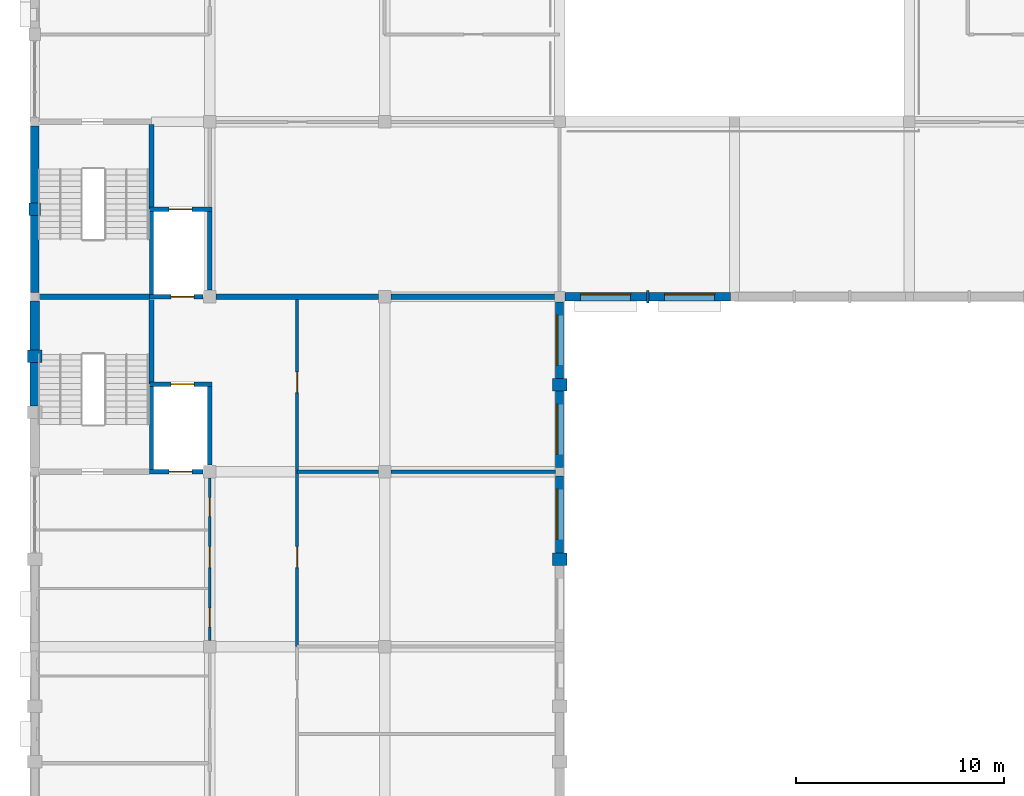
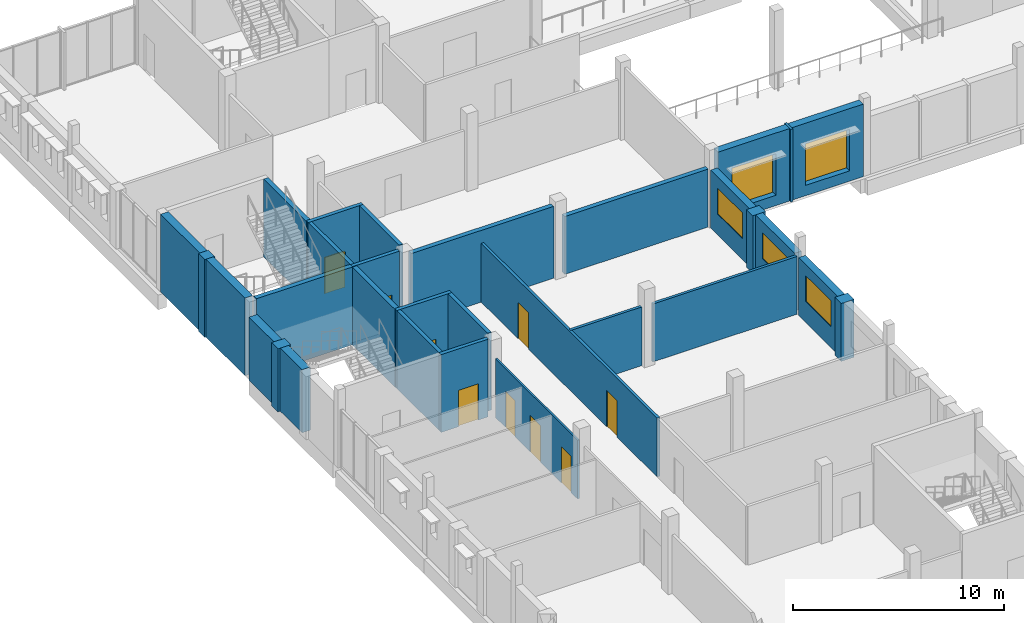
# One storey, part 96 of 116: 31 walls, 9 doors, 5 windows, 14 openings.
"""IFC4 building model written with IfcOpenShell, lengths in metres."""

import ifcopenshell
import ifcopenshell.guid

model = None  # the IFC model being written
_history = None  # IfcOwnerHistory: only IFC2X3 demands one
_inside = {}  # id of a spatial element -> (the spatial element, [elements in it])
_under = {}  # id of a project, library or spatial element -> (it, [spatial elements below it])
_declared = {}  # id of a project -> (the project, [libraries it declares])
_typed = {}  # id of a type object -> (the type object, [elements of that type])
_made_of = {}  # id of a material, layer set ... -> (it, [elements and type objects made of it])


def new_model(schema):
    """Start an empty IFC model of exactly this schema.

    Asked for "IFC4X3", IfcOpenShell would pick the latest addendum, in which some entities
    have other attributes; the version numbers below select the first issue.
    IFC2X3 requires an IfcOwnerHistory on every rooted entity: one is made here for all.
    """
    global model, _history
    if schema == "IFC4X3":
        model = ifcopenshell.file(schema_version=(4, 3, 0, 0))
    else:
        model = ifcopenshell.file(schema=schema)
    _inside.clear()
    _under.clear()
    _declared.clear()
    _typed.clear()
    _made_of.clear()
    _history = None
    if model.schema == "IFC2X3":
        org = make("IfcOrganization", Name="unknown")
        user = make(
            "IfcPersonAndOrganization",
            ThePerson=make("IfcPerson", FamilyName="unknown"),
            TheOrganization=org,
        )
        app = make(
            "IfcApplication",
            ApplicationDeveloper=org,
            Version="unknown",
            ApplicationFullName="unknown",
            ApplicationIdentifier="unknown",
        )
        _history = make(
            "IfcOwnerHistory",
            OwningUser=user,
            OwningApplication=app,
            ChangeAction="ADDED",
            CreationDate=0,
        )
    return model


def make(cls, **values):
    """One entity of the class cls with the attributes given. An attribute that is None is left unset."""
    return model.create_entity(
        cls, **{name: value for name, value in values.items() if value is not None}
    )


def rooted(cls, **values):
    """An entity with a GlobalId (a new one), such as an element, a storey or a relation."""
    return make(cls, GlobalId=ifcopenshell.guid.new(), OwnerHistory=_history, **values)


def si_unit(unit_type, name, prefix=None):
    """IfcSIUnit, for example si_unit("LENGTHUNIT", "METRE", prefix="MILLI")."""
    return make("IfcSIUnit", UnitType=unit_type, Prefix=prefix, Name=name)


def assignment(units):
    """IfcUnitAssignment: the units of a project."""
    return None if units is None else make("IfcUnitAssignment", Units=units)


def point(xyz):
    """IfcCartesianPoint."""
    return None if xyz is None else make("IfcCartesianPoint", Coordinates=xyz)


def direction(xyz):
    """IfcDirection."""
    return None if xyz is None else make("IfcDirection", DirectionRatios=xyz)


def frame(location, z_axis=None, x_axis=None):
    """IfcAxis2Placement3D, a coordinate frame: its origin and axes. An axis left out is left unset."""
    return make(
        "IfcAxis2Placement3D",
        Location=point(location),
        Axis=direction(z_axis),
        RefDirection=direction(x_axis),
    )


def frame_2d(location, x_axis=None):
    """IfcAxis2Placement2D, a coordinate frame in the plane: its origin and x axis."""
    return make(
        "IfcAxis2Placement2D", Location=point(location), RefDirection=direction(x_axis)
    )


def origin():
    """The frame at (0, 0, 0) with its axes left unset."""
    return frame((0.0, 0.0, 0.0))


def place(relative_to, where):
    """IfcLocalPlacement: puts the frame where relative to a parent placement (None: the world)."""
    return make(
        "IfcLocalPlacement", PlacementRelTo=relative_to, RelativePlacement=where
    )


def context(
    kind, dimensions, precision=None, world=None, true_north=None, identifier=None
):
    """IfcGeometricRepresentationContext, for example the 3D "Model" context."""
    return make(
        "IfcGeometricRepresentationContext",
        ContextIdentifier=identifier,
        ContextType=kind,
        CoordinateSpaceDimension=dimensions,
        Precision=precision,
        WorldCoordinateSystem=world,
        TrueNorth=true_north,
    )


def subcontext(parent, identifier, kind, view, scale=None):
    """IfcGeometricRepresentationSubContext, for example "Body" below "Model"."""
    return make(
        "IfcGeometricRepresentationSubContext",
        ContextIdentifier=identifier,
        ContextType=kind,
        ParentContext=parent,
        TargetScale=scale,
        TargetView=view,
    )


def project(units=None, contexts=None):
    """IfcProject with its units and contexts."""
    return rooted(
        "IfcProject",
        Name="project",
        RepresentationContexts=contexts,
        UnitsInContext=assignment(units),
    )


def spatial(cls, under=None, at=None, **own):
    """A site, building, storey or space (cls), placed at a placement, below another one or the project."""
    s = rooted(cls, ObjectPlacement=at, **own)
    if under is not None:
        _under.setdefault(under.id(), (under, []))[1].append(s)
    return s


def profile(cls, at=None, kind="AREA", **sizes):
    """A parametric profile (cls). Its sizes go by their IFC names, for example OverallWidth=200.0."""
    return make(cls, ProfileType=kind, Position=at, **sizes)


def rectangle(**sizes):
    """IfcRectangleProfileDef."""
    return profile("IfcRectangleProfileDef", **sizes)


def extrude(swept, where, along, depth):
    """IfcExtrudedAreaSolid: the profile swept, set in the frame where, extruded along a direction by depth."""
    return make(
        "IfcExtrudedAreaSolid",
        SweptArea=swept,
        Position=where,
        ExtrudedDirection=direction(along),
        Depth=depth,
    )


def shape(context_of_items, identifier, shape_type, items):
    """IfcShapeRepresentation: the items that make up one representation, for example the "Body"."""
    return make(
        "IfcShapeRepresentation",
        ContextOfItems=context_of_items,
        RepresentationIdentifier=identifier,
        RepresentationType=shape_type,
        Items=items,
    )


def material(Name=None, Category=None):
    """IfcMaterial."""
    return make("IfcMaterial", Name=Name, Category=Category)


def layer(
    of_material, thickness, ventilated=None, Name=None, Category=None, Priority=None
):
    """IfcMaterialLayer: one layer of a wall or slab, of a material (None: an air gap)."""
    return make(
        "IfcMaterialLayer",
        Material=of_material,
        LayerThickness=thickness,
        IsVentilated=ventilated,
        Name=Name,
        Category=Category,
        Priority=Priority,
    )


def layer_set(layers, Name=None):
    """IfcMaterialLayerSet."""
    return make("IfcMaterialLayerSet", MaterialLayers=layers, LayerSetName=Name)


def made_of(thing, what):
    """Note that an element or type object is made of a material, layer set ...; save() writes the relation."""
    if what is not None:
        _made_of.setdefault(what.id(), (what, []))[1].append(thing)
    return thing


def type_object(cls, material=None, **own):
    """A type object (cls), such as IfcWallType, which elements share."""
    return made_of(rooted(cls, **own), material)


def element(
    cls,
    number,
    at=None,
    inside=None,
    cuts=None,
    type_object=None,
    material=None,
    context=None,
    identifier="Body",
    shape_type=None,
    held_by="IfcProductDefinitionShape",
    body=None,
    shapes=None,
    **own,
):
    """One element of the class cls, such as IfcWall. Its Tag is "e" and its number.

    at: its placement. inside: the storey or other place that contains it. cuts: it is an
    opening in that element (IfcRelVoidsElement). A single representation is given by context,
    identifier, shape_type and body (its items); several are given by shapes. held_by: the class
    of the entity that holds the representations. save() writes the other relations.
    """
    e = rooted(cls, Tag="e%d" % number, ObjectPlacement=at, **own)
    if body is not None:
        shapes = [shape(context, identifier, shape_type, body)]
    if shapes is not None:
        e.Representation = make(held_by, Representations=shapes)
    if inside is not None:
        _inside.setdefault(inside.id(), (inside, []))[1].append(e)
    if cuts is not None:
        rooted(
            "IfcRelVoidsElement", RelatingBuildingElement=cuts, RelatedOpeningElement=e
        )
    if type_object is not None:
        _typed.setdefault(type_object.id(), (type_object, []))[1].append(e)
    return made_of(e, material)


def fill(opening, filler):
    """IfcRelFillsElement: the door or window that sits in an opening."""
    return rooted(
        "IfcRelFillsElement",
        RelatingOpeningElement=opening,
        RelatedBuildingElement=filler,
    )


def aggregate(whole, parts):
    """IfcRelAggregates: a whole, such as a stair, and the parts it consists of."""
    return rooted("IfcRelAggregates", RelatingObject=whole, RelatedObjects=parts)


def save(model, path):
    """Write the relations noted so far, then the file.

    IfcRelAggregates (storeys below a building ...), IfcRelContainedInSpatialStructure (elements
    in a storey), IfcRelDefinesByType, IfcRelAssociatesMaterial and IfcRelDeclares: one each for
    every whole, place, type object, material and project.
    """
    for whole, parts in _under.values():
        aggregate(whole, parts)
    for where, things in _inside.values():
        rooted(
            "IfcRelContainedInSpatialStructure",
            RelatedElements=things,
            RelatingStructure=where,
        )
    for kind, things in _typed.values():
        rooted("IfcRelDefinesByType", RelatedObjects=things, RelatingType=kind)
    for what, things in _made_of.values():
        rooted("IfcRelAssociatesMaterial", RelatedObjects=things, RelatingMaterial=what)
    for by, libraries in _declared.values():
        rooted("IfcRelDeclares", RelatingContext=by, RelatedDefinitions=libraries)
    model.write(path)


model = new_model("IFC4")

# Units and contexts
model_context = context("Model", 3, precision=1e-05, world=origin(), true_north=direction((0.0, 1.0)))
body_context = subcontext(model_context, "Body", "Model", "MODEL_VIEW")
ifc_project = project(units=[si_unit("LENGTHUNIT", "METRE"), si_unit("AREAUNIT", "SQUARE_METRE"), si_unit("VOLUMEUNIT", "CUBIC_METRE"), si_unit("PLANEANGLEUNIT", "RADIAN"), si_unit("MASSUNIT", "GRAM", prefix="KILO")], contexts=[model_context])

# Site, building, storey
site_placement = place(None, origin())
site = spatial("IfcSite", under=ifc_project, at=site_placement, CompositionType="ELEMENT")
building_placement = place(site_placement, origin())
building = spatial("IfcBuilding", under=site, at=building_placement, Name="Fescue Hill Polytechnic", CompositionType="ELEMENT")
storey_placement = place(building_placement, frame((0.0, 0.0, 13.5)))
storey = spatial("IfcBuildingStorey", under=building, at=storey_placement, Name="L03", CompositionType="ELEMENT", Elevation=13.5)

# Walls
ifc_material_1 = material(Name="Clay brick masonry", Category="masonry")
ifc_layer_1 = layer(ifc_material_1, 0.550048828125)
ifc_layer_set_1 = layer_set([ifc_layer_1], Name="Clay brick masonry")
wall_type_1 = type_object("IfcWallType", Name="Brick pier 600x550", PredefinedType="SOLIDWALL", material=ifc_layer_set_1)
wall_1_placement = place(storey_placement, frame((0.0, 113.699951171875, 0.0), z_axis=(0.0, 0.0, 1.0), x_axis=(0.0, -1.0, 0.0)))
element("IfcWall", 1, at=wall_1_placement, inside=storey, type_object=wall_type_1, Name="PR-L03-V5-20", PredefinedType="SOLIDWALL", context=body_context, shape_type="SweptSolid", body=[
    extrude(rectangle(XDim=0.599853515625, YDim=0.550048828125, at=frame_2d((0.2998046875, 0.0))), origin(), (0.0, 0.0, 1.0), 4.5),
])
ifc_material_2 = material(Name="Concrete 40 MPa", Category="concrete")
ifc_layer_2 = layer(ifc_material_2, 0.25)
ifc_layer_set_2 = layer_set([ifc_layer_2], Name="Concrete 40 MPa")
wall_type_2 = type_object("IfcWallType", Name="Core wall 250", PredefinedType="SHEAR", material=ifc_layer_set_2)
wall_2_placement = place(storey_placement, frame((0.22509765625, 109.199951171875, 0.0), z_axis=(0.0, 0.0, 1.0), x_axis=(1.0, 0.0, 0.0)))
element("IfcWall", 2, at=wall_2_placement, inside=storey, type_object=wall_type_2, Name="CW-L03-ST-V4-2-21", PredefinedType="SHEAR", context=body_context, shape_type="SweptSolid", body=[
    extrude(rectangle(XDim=5.27490234375, YDim=0.25, at=frame_2d((2.637451171875, 0.0))), origin(), (0.0, 0.0, 1.0), 4.5),
])
wall_3_placement = place(storey_placement, frame((5.60009765625, 105.010009765625, 0.0), z_axis=(0.0, 0.0, 1.0), x_axis=(0.0, 1.0, 0.0)))
element("IfcWall", 3, at=wall_3_placement, inside=storey, type_object=wall_type_2, Name="CW-L03-ST-V4-2-41", PredefinedType="SHEAR", context=body_context, shape_type="SweptSolid", body=[
    extrude(rectangle(XDim=4.06494140625, YDim=0.25, at=frame_2d((2.032470703125, 0.0))), origin(), (0.0, 0.0, 1.0), 4.5),
])
wall_4_placement = place(storey_placement, frame((5.60009765625, 113.409912109375, 0.0), z_axis=(0.0, 0.0, 1.0), x_axis=(0.0, 1.0, 0.0)))
element("IfcWall", 4, at=wall_4_placement, inside=storey, type_object=wall_type_2, Name="CW-L03-ST-V5-1-41", PredefinedType="SHEAR", context=body_context, shape_type="SweptSolid", body=[
    extrude(rectangle(XDim=4.065185546875, YDim=0.25, at=frame_2d((2.03271484375, 0.0))), origin(), (0.0, 0.0, 1.0), 4.5),
])
ifc_layer_3 = layer(ifc_material_2, 0.449951171875)
ifc_layer_set_3 = layer_set([ifc_layer_3], Name="Concrete 40 MPa")
wall_type_3 = type_object("IfcWallType", Name="Exterior wall board-marked concrete 450 load-bearing", PredefinedType="SOLIDWALL", material=ifc_layer_set_3)
wall_5_placement = place(storey_placement, frame((0.0, 109.0, 0.0), z_axis=(0.0, 0.0, 1.0), x_axis=(0.0, -1.0, 0.0)))
element("IfcWall", 5, at=wall_5_placement, inside=storey, type_object=wall_type_3, Name="EW-L03-V4-18", PredefinedType="SOLIDWALL", context=body_context, shape_type="SweptSolid", body=[
    extrude(rectangle(XDim=2.36669921875, YDim=0.449951171875, at=frame_2d((1.183349609375, 0.0))), origin(), (0.0, 0.0, 1.0), 3.64990234375),
])
wall_6_placement = place(storey_placement, frame((0.0, 106.033203125, 0.0), z_axis=(0.0, 0.0, 1.0), x_axis=(0.0, -1.0, 0.0)))
element("IfcWall", 6, at=wall_6_placement, inside=storey, type_object=wall_type_3, Name="EW-L03-V4-19", PredefinedType="SOLIDWALL", context=body_context, shape_type="SweptSolid", body=[
    extrude(rectangle(XDim=2.06640625, YDim=0.449951171875, at=frame_2d((1.033203125, 0.0))), origin(), (0.0, 0.0, 1.0), 3.64990234375),
])
ifc_layer_4 = layer(ifc_material_1, 0.419921875)
ifc_layer_set_4 = layer_set([ifc_layer_4], Name="Clay brick masonry")
wall_type_4 = type_object("IfcWallType", Name="Exterior wall buff-red brick cavity 420 load-bearing", PredefinedType="SOLIDWALL", material=ifc_layer_set_4)
wall_7_placement = place(storey_placement, frame((0.0, 117.39990234375, 0.0), z_axis=(0.0, 0.0, 1.0), x_axis=(0.0, -1.0, 0.0)))
element("IfcWall", 7, at=wall_7_placement, inside=storey, type_object=wall_type_4, Name="EW-L03-V5-23", PredefinedType="SOLIDWALL", context=body_context, shape_type="SweptSolid", body=[
    extrude(rectangle(XDim=3.699951171875, YDim=0.419921875, at=frame_2d((1.85009765625, 0.0))), origin(), (0.0, 0.0, 1.0), 4.5),
])
wall_8_placement = place(storey_placement, frame((0.0, 113.10009765625, 0.0), z_axis=(0.0, 0.0, 1.0), x_axis=(0.0, -1.0, 0.0)))
element("IfcWall", 8, at=wall_8_placement, inside=storey, type_object=wall_type_4, Name="EW-L03-V5-24", PredefinedType="SOLIDWALL", context=body_context, shape_type="SweptSolid", body=[
    extrude(rectangle(XDim=3.7001953125, YDim=0.419921875, at=frame_2d((1.85009765625, 0.0))), origin(), (0.0, 0.0, 1.0), 4.5),
])

# Wall, opening, window
ifc_layer_5 = layer(ifc_material_1, 0.39990234375)
ifc_layer_set_5 = layer_set([ifc_layer_5], Name="Clay brick masonry")
wall_type_5 = type_object("IfcWallType", Name="Exterior wall clinker brick cavity 400", PredefinedType="SOLIDWALL", material=ifc_layer_set_5)
wall_9_placement = place(storey_placement, frame((25.449951171875, 109.199951171875, 0.0), z_axis=(0.0, 0.0, 1.0), x_axis=(1.0, 0.0, 0.0)))
wall_9 = element("IfcWall", 9, at=wall_9_placement, inside=storey, type_object=wall_type_5, Name="EW-L03-V5-1", PredefinedType="SOLIDWALL", context=body_context, shape_type="SweptSolid", body=[
    extrude(rectangle(XDim=3.9150390625, YDim=0.39990234375, at=frame_2d((1.95751953125, 0.0))), origin(), (0.0, 0.0, 1.0), 4.199951171875),
])
opening_1_placement = place(wall_9_placement, frame((0.757568359375, 0.0, 0.60009765625)))
opening_1 = element("IfcOpeningElement", 10, at=opening_1_placement, cuts=wall_9, Name="Opening W4", PredefinedType="OPENING", context=body_context, shape_type="SweptSolid", body=[
    extrude(rectangle(XDim=2.39990234375, YDim=2.39990234375, at=frame_2d((1.199951171875, 1.199951171875))), frame((0.0, 0.2099609375, 0.0), z_axis=(0.0, -1.0, 0.0), x_axis=(1.0, 0.0, 0.0)), (0.0, 0.0, 1.0), 0.419921875),
])
ifc_material_3 = material(Name="Powder-coated aluminium and glass", Category="aluminium")
window_type_1 = type_object("IfcWindowType", Name="Window library tall 2400x2400", PartitioningType="DOUBLE_PANEL_VERTICAL", PredefinedType="WINDOW", material=ifc_material_3)
window_1_placement = place(opening_1_placement, origin())
window_1 = element("IfcWindow", 11, at=window_1_placement, inside=storey, type_object=window_type_1, Name="WN-L03-V5-1", OverallHeight=2.39990234375, OverallWidth=2.39990234375, PartitioningType="SINGLE_PANEL", PredefinedType="WINDOW", context=body_context, shape_type="SweptSolid", body=[
    extrude(rectangle(XDim=2.39990234375, YDim=2.39990234375, at=frame_2d((1.199951171875, 1.199951171875))), frame((0.0, 0.159912109375, 0.0), z_axis=(0.0, -1.0, 0.0), x_axis=(1.0, 0.0, 0.0)), (0.0, 0.0, 1.0), 0.06005859375),
])
fill(opening_1, window_1)

wall_10_placement = place(storey_placement, frame((29.485107421875, 109.199951171875, 0.0), z_axis=(0.0, 0.0, 1.0), x_axis=(1.0, 0.0, 0.0)))
wall_10 = element("IfcWall", 12, at=wall_10_placement, inside=storey, type_object=wall_type_5, Name="EW-L03-V5-2", PredefinedType="SOLIDWALL", context=body_context, shape_type="SweptSolid", body=[
    extrude(rectangle(XDim=3.914794921875, YDim=0.39990234375, at=frame_2d((1.95751953125, 0.0))), origin(), (0.0, 0.0, 1.0), 4.199951171875),
])
opening_2_placement = place(wall_10_placement, frame((0.757568359375, 0.0, 0.60009765625)))
opening_2 = element("IfcOpeningElement", 13, at=opening_2_placement, cuts=wall_10, Name="Opening W4", PredefinedType="OPENING", context=body_context, shape_type="SweptSolid", body=[
    extrude(rectangle(XDim=2.39990234375, YDim=2.39990234375, at=frame_2d((1.199951171875, 1.199951171875))), frame((0.0, 0.2099609375, 0.0), z_axis=(0.0, -1.0, 0.0), x_axis=(1.0, 0.0, 0.0)), (0.0, 0.0, 1.0), 0.419921875),
])
window_2_placement = place(opening_2_placement, origin())
window_2 = element("IfcWindow", 14, at=window_2_placement, inside=storey, type_object=window_type_1, Name="WN-L03-V5-2", OverallHeight=2.39990234375, OverallWidth=2.39990234375, PartitioningType="SINGLE_PANEL", PredefinedType="WINDOW", context=body_context, shape_type="SweptSolid", body=[
    extrude(rectangle(XDim=2.39990234375, YDim=2.39990234375, at=frame_2d((1.199951171875, 1.199951171875))), frame((0.0, 0.159912109375, 0.0), z_axis=(0.0, -1.0, 0.0), x_axis=(1.0, 0.0, 0.0)), (0.0, 0.0, 1.0), 0.06005859375),
])
fill(opening_2, window_2)

ifc_material_4 = material(Name="Terracotta rainscreen on concrete block", Category="masonry")
ifc_layer_6 = layer(ifc_material_4, 0.3798828125)
ifc_layer_set_6 = layer_set([ifc_layer_6], Name="Terracotta rainscreen on concrete block")
wall_type_6 = type_object("IfcWallType", Name="Exterior wall rainscreen terracotta on blockwork 380", PredefinedType="SOLIDWALL", material=ifc_layer_set_6)
wall_11_placement = place(storey_placement, frame((25.199951171875, 96.89990234375, 0.0), z_axis=(0.0, 0.0, 1.0), x_axis=(0.0, 1.0, 0.0)))
wall_11 = element("IfcWall", 15, at=wall_11_placement, inside=storey, type_object=wall_type_6, Name="EW-L03-V4-15", PredefinedType="SOLIDWALL", context=body_context, shape_type="SweptSolid", body=[
    extrude(rectangle(XDim=3.7001953125, YDim=0.3798828125, at=frame_2d((1.85009765625, 0.0))), origin(), (0.0, 0.0, 1.0), 3.35009765625),
])
opening_3_placement = place(wall_11_placement, frame((0.64990234375, 0.0, 1.199951171875)))
opening_3 = element("IfcOpeningElement", 16, at=opening_3_placement, cuts=wall_11, Name="Opening W3", PredefinedType="OPENING", context=body_context, shape_type="SweptSolid", body=[
    extrude(rectangle(XDim=2.39990234375, YDim=1.5, at=frame_2d((1.199951171875, 0.75))), frame((0.0, 0.199951171875, 0.0), z_axis=(0.0, -1.0, 0.0), x_axis=(1.0, 0.0, 0.0)), (0.0, 0.0, 1.0), 0.39990234375),
])
window_type_2 = type_object("IfcWindowType", Name="Window laboratory strip 2400x1500", PartitioningType="TRIPLE_PANEL_VERTICAL", PredefinedType="WINDOW", material=ifc_material_3)
window_3_placement = place(opening_3_placement, origin())
window_3 = element("IfcWindow", 17, at=window_3_placement, inside=storey, type_object=window_type_2, Name="WN-L03-V4-6", OverallHeight=1.5, OverallWidth=2.39990234375, PartitioningType="SINGLE_PANEL", PredefinedType="WINDOW", context=body_context, shape_type="SweptSolid", body=[
    extrude(rectangle(XDim=2.39990234375, YDim=1.5, at=frame_2d((1.199951171875, 0.75))), frame((0.0, 0.150146484375, 0.0), z_axis=(0.0, -1.0, 0.0), x_axis=(1.0, 0.0, 0.0)), (0.0, 0.0, 1.0), 0.06005859375),
])
fill(opening_3, window_3)

wall_12_placement = place(storey_placement, frame((25.199951171875, 101.0, 0.0), z_axis=(0.0, 0.0, 1.0), x_axis=(0.0, 1.0, 0.0)))
wall_12 = element("IfcWall", 18, at=wall_12_placement, inside=storey, type_object=wall_type_6, Name="EW-L03-V4-16", PredefinedType="SOLIDWALL", context=body_context, shape_type="SweptSolid", body=[
    extrude(rectangle(XDim=3.675048828125, YDim=0.3798828125, at=frame_2d((1.83740234375, 0.0))), origin(), (0.0, 0.0, 1.0), 3.35009765625),
])
opening_4_placement = place(wall_12_placement, frame((0.637451171875, 0.0, 1.199951171875)))
opening_4 = element("IfcOpeningElement", 19, at=opening_4_placement, cuts=wall_12, Name="Opening W3", PredefinedType="OPENING", context=body_context, shape_type="SweptSolid", body=[
    extrude(rectangle(XDim=2.39990234375, YDim=1.5, at=frame_2d((1.199951171875, 0.75))), frame((0.0, 0.199951171875, 0.0), z_axis=(0.0, -1.0, 0.0), x_axis=(1.0, 0.0, 0.0)), (0.0, 0.0, 1.0), 0.39990234375),
])
window_4_placement = place(opening_4_placement, origin())
window_4 = element("IfcWindow", 20, at=window_4_placement, inside=storey, type_object=window_type_2, Name="WN-L03-V4-7", OverallHeight=1.5, OverallWidth=2.39990234375, PartitioningType="SINGLE_PANEL", PredefinedType="WINDOW", context=body_context, shape_type="SweptSolid", body=[
    extrude(rectangle(XDim=2.39990234375, YDim=1.5, at=frame_2d((1.199951171875, 0.75))), frame((0.0, 0.150146484375, 0.0), z_axis=(0.0, -1.0, 0.0), x_axis=(1.0, 0.0, 0.0)), (0.0, 0.0, 1.0), 0.06005859375),
])
fill(opening_4, window_4)

wall_13_placement = place(storey_placement, frame((25.199951171875, 105.27490234375, 0.0), z_axis=(0.0, 0.0, 1.0), x_axis=(0.0, 1.0, 0.0)))
wall_13 = element("IfcWall", 21, at=wall_13_placement, inside=storey, type_object=wall_type_6, Name="EW-L03-V4-17", PredefinedType="SOLIDWALL", context=body_context, shape_type="SweptSolid", body=[
    extrude(rectangle(XDim=3.675048828125, YDim=0.3798828125, at=frame_2d((1.83740234375, 0.0))), origin(), (0.0, 0.0, 1.0), 3.35009765625),
])
opening_5_placement = place(wall_13_placement, frame((0.637451171875, 0.0, 1.199951171875)))
opening_5 = element("IfcOpeningElement", 22, at=opening_5_placement, cuts=wall_13, Name="Opening W3", PredefinedType="OPENING", context=body_context, shape_type="SweptSolid", body=[
    extrude(rectangle(XDim=2.39990234375, YDim=1.5, at=frame_2d((1.199951171875, 0.75))), frame((0.0, 0.199951171875, 0.0), z_axis=(0.0, -1.0, 0.0), x_axis=(1.0, 0.0, 0.0)), (0.0, 0.0, 1.0), 0.39990234375),
])
window_5_placement = place(opening_5_placement, origin())
window_5 = element("IfcWindow", 23, at=window_5_placement, inside=storey, type_object=window_type_2, Name="WN-L03-V4-8", OverallHeight=1.5, OverallWidth=2.39990234375, PartitioningType="SINGLE_PANEL", PredefinedType="WINDOW", context=body_context, shape_type="SweptSolid", body=[
    extrude(rectangle(XDim=2.39990234375, YDim=1.5, at=frame_2d((1.199951171875, 0.75))), frame((0.0, 0.150146484375, 0.0), z_axis=(0.0, -1.0, 0.0), x_axis=(1.0, 0.0, 0.0)), (0.0, 0.0, 1.0), 0.06005859375),
])
fill(opening_5, window_5)

# Walls
ifc_layer_7 = layer(ifc_material_2, 0.699951171875)
ifc_layer_set_7 = layer_set([ifc_layer_7], Name="Concrete 40 MPa")
wall_type_7 = type_object("IfcWallType", Name="Fin wall board-marked 600x700", PredefinedType="SOLIDWALL", material=ifc_layer_set_7)
for number, where, z_axis, x_axis, name in (
    (24, (25.199951171875, 96.300048828125, 0.0), (0.0, 0.0, 1.0), (0.0, 1.0, 0.0), "PR-L03-V4-9"),
    (25, (25.199951171875, 104.675048828125, 0.0), (0.0, 0.0, 1.0), (0.0, 1.0, 0.0), "PR-L03-V4-10"),
):
    element("IfcWall", number, at=place(storey_placement, frame(where, z_axis=z_axis, x_axis=x_axis)), inside=storey, type_object=wall_type_7, Name=name, PredefinedType="SOLIDWALL", context=body_context, shape_type="SweptSolid", body=[
        extrude(rectangle(XDim=0.599853515625, YDim=0.699951171875, at=frame_2d((0.2998046875, 0.0))), origin(), (0.0, 0.0, 1.0), 3.35009765625),
    ])
wall_14_placement = place(storey_placement, frame((0.0, 106.63330078125, 0.0), z_axis=(0.0, 0.0, 1.0), x_axis=(0.0, -1.0, 0.0)))
element("IfcWall", 26, at=wall_14_placement, inside=storey, type_object=wall_type_7, Name="PR-L03-V4-11", PredefinedType="SOLIDWALL", context=body_context, shape_type="SweptSolid", body=[
    extrude(rectangle(XDim=0.60009765625, YDim=0.699951171875, at=frame_2d((0.300048828125, 0.0))), origin(), (0.0, 0.0, 1.0), 3.64990234375),
])
ifc_material_5 = material(Name="Concrete masonry block 15 MPa", Category="masonry")
ifc_layer_8 = layer(ifc_material_5, 0.14990234375)
ifc_layer_set_8 = layer_set([ifc_layer_8], Name="Concrete masonry block 15 MPa")
wall_type_8 = type_object("IfcWallType", Name="Laboratory wall 150 block EI 60", PredefinedType="PARTITIONING", material=ifc_layer_set_8)
wall_15_placement = place(storey_placement, frame((12.60009765625, 100.800048828125, 0.0), z_axis=(0.0, 0.0, 1.0), x_axis=(1.0, 0.0, 0.0)))
element("IfcWall", 27, at=wall_15_placement, inside=storey, type_object=wall_type_8, Name="IW-L03-018", PredefinedType="PARTITIONING", context=body_context, shape_type="SweptSolid", body=[
    extrude(rectangle(XDim=3.89990234375, YDim=0.14990234375, at=frame_2d((1.949951171875, 0.0))), origin(), (0.0, 0.0, 1.0), 3.39990234375),
])
wall_16_placement = place(storey_placement, frame((17.10009765625, 100.800048828125, 0.0), z_axis=(0.0, 0.0, 1.0), x_axis=(1.0, 0.0, 0.0)))
element("IfcWall", 28, at=wall_16_placement, inside=storey, type_object=wall_type_8, Name="IW-L03-019", PredefinedType="PARTITIONING", context=body_context, shape_type="SweptSolid", body=[
    extrude(rectangle(XDim=7.89990234375, YDim=0.14990234375, at=frame_2d((3.949951171875, 0.0))), origin(), (0.0, 0.0, 1.0), 3.35009765625),
])

# Wall, openings, doors
wall_17_placement = place(storey_placement, frame((12.60009765625, 92.39990234375, 0.0), z_axis=(0.0, 0.0, 1.0), x_axis=(0.0, 1.0, 0.0)))
wall_17 = element("IfcWall", 29, at=wall_17_placement, inside=storey, type_object=wall_type_8, Name="IW-L03-048", PredefinedType="PARTITIONING", context=body_context, shape_type="SweptSolid", body=[
    extrude(rectangle(XDim=16.800048828125, YDim=0.14990234375, at=frame_2d((8.39990234375, 0.0))), origin(), (0.0, 0.0, 1.0), 3.39990234375),
])
opening_6_placement = place(wall_17_placement, frame((3.800048828125, 0.0, 0.0)))
opening_6 = element("IfcOpeningElement", 30, at=opening_6_placement, cuts=wall_17, Name="Opening D3014", PredefinedType="OPENING", context=body_context, shape_type="SweptSolid", body=[
    extrude(rectangle(XDim=1.0, YDim=2.10009765625, at=frame_2d((0.5, 1.050048828125))), frame((0.0, 0.0849609375, 0.0), z_axis=(0.0, -1.0, 0.0), x_axis=(1.0, 0.0, 0.0)), (0.0, 0.0, 1.0), 0.169921875),
])
opening_7_placement = place(wall_17_placement, frame((12.199951171875, 0.0, 0.0)))
opening_7 = element("IfcOpeningElement", 31, at=opening_7_placement, cuts=wall_17, Name="Opening D3015", PredefinedType="OPENING", context=body_context, shape_type="SweptSolid", body=[
    extrude(rectangle(XDim=1.0, YDim=2.10009765625, at=frame_2d((0.5, 1.050048828125))), frame((0.0, 0.0849609375, 0.0), z_axis=(0.0, -1.0, 0.0), x_axis=(1.0, 0.0, 0.0)), (0.0, 0.0, 1.0), 0.169921875),
])
ifc_material_6 = material(Name="Steel", Category="steel")
door_type_1 = type_object("IfcDoorType", Name="Door single swing 1000x2100 FD60", OperationType="SINGLE_SWING_LEFT", PredefinedType="DOOR", material=ifc_material_6)
door_1_placement = place(opening_6_placement, origin())
door_1 = element("IfcDoor", 32, at=door_1_placement, inside=storey, type_object=door_type_1, Name="Door D3014", OperationType="SINGLE_SWING_LEFT", OverallHeight=2.10009765625, OverallWidth=1.0, PredefinedType="DOOR", context=body_context, shape_type="SweptSolid", body=[
    extrude(rectangle(XDim=1.0, YDim=2.10009765625, at=frame_2d((0.5, 1.050048828125))), frame((0.0, 0.02490234375, 0.0), z_axis=(0.0, -1.0, 0.0), x_axis=(1.0, 0.0, 0.0)), (0.0, 0.0, 1.0), 0.050048828125),
])
fill(opening_6, door_1)
door_2_placement = place(opening_7_placement, origin())
door_2 = element("IfcDoor", 33, at=door_2_placement, inside=storey, type_object=door_type_1, Name="Door D3015", OperationType="SINGLE_SWING_RIGHT", OverallHeight=2.10009765625, OverallWidth=1.0, PredefinedType="DOOR", context=body_context, shape_type="SweptSolid", body=[
    extrude(rectangle(XDim=1.0, YDim=2.10009765625, at=frame_2d((0.5, 1.050048828125))), frame((0.0, 0.02490234375, 0.0), z_axis=(0.0, -1.0, 0.0), x_axis=(1.0, 0.0, 0.0)), (0.0, 0.0, 1.0), 0.050048828125),
])
fill(opening_7, door_2)

# Wall, opening, door
ifc_layer_9 = layer(ifc_material_2, 0.199951171875)
ifc_layer_set_9 = layer_set([ifc_layer_9], Name="Concrete 40 MPa")
wall_type_9 = type_object("IfcWallType", Name="Lift shaft wall 200", PredefinedType="SHEAR", material=ifc_layer_set_9)
wall_18_placement = place(storey_placement, frame((5.5, 100.800048828125, 0.0), z_axis=(0.0, 0.0, 1.0), x_axis=(1.0, 0.0, 0.0)))
wall_18 = element("IfcWall", 34, at=wall_18_placement, inside=storey, type_object=wall_type_9, Name="CW-L03-LF-V4-2-11", PredefinedType="SHEAR", context=body_context, shape_type="SweptSolid", body=[
    extrude(rectangle(XDim=2.574951171875, YDim=0.199951171875, at=frame_2d((1.28759765625, 0.0))), origin(), (0.0, 0.0, 1.0), 4.5),
])
opening_8_placement = place(wall_18_placement, frame((0.949951171875, 0.0, 0.0)))
opening_8 = element("IfcOpeningElement", 35, at=opening_8_placement, cuts=wall_18, Name="Opening LD5-L03", PredefinedType="OPENING", context=body_context, shape_type="SweptSolid", body=[
    extrude(rectangle(XDim=1.10009765625, YDim=2.10009765625, at=frame_2d((0.550048828125, 1.050048828125))), frame((0.0, 0.10986328125, 0.0), z_axis=(0.0, -1.0, 0.0), x_axis=(1.0, 0.0, 0.0)), (0.0, 0.0, 1.0), 0.219970703125),
])
ifc_material_7 = material(Name="Stainless steel", Category="steel")
door_type_2 = type_object("IfcDoorType", Name="Lift landing door sliding 1100x2100", OperationType="SLIDING_TO_LEFT", PredefinedType="DOOR", material=ifc_material_7)
door_3_placement = place(opening_8_placement, origin())
door_3 = element("IfcDoor", 36, at=door_3_placement, inside=storey, type_object=door_type_2, Name="L03 LF-V4-2 lift landing door", OperationType="SLIDING_TO_LEFT", OverallHeight=2.10009765625, OverallWidth=1.10009765625, PredefinedType="DOOR", context=body_context, shape_type="SweptSolid", body=[
    extrude(rectangle(XDim=1.10009765625, YDim=2.10009765625, at=frame_2d((0.550048828125, 1.050048828125))), frame((0.0, 0.02490234375, 0.0), z_axis=(0.0, -1.0, 0.0), x_axis=(1.0, 0.0, 0.0)), (0.0, 0.0, 1.0), 0.050048828125),
])
fill(opening_8, door_3)

wall_19_placement = place(storey_placement, frame((5.5, 105.0, 0.0), z_axis=(0.0, 0.0, 1.0), x_axis=(1.0, 0.0, 0.0)))
wall_19 = element("IfcWall", 37, at=wall_19_placement, inside=storey, type_object=wall_type_9, Name="CW-L03-LF-V4-2-21", PredefinedType="SHEAR", context=body_context, shape_type="SweptSolid", body=[
    extrude(rectangle(XDim=3.0, YDim=0.199951171875, at=frame_2d((1.5, 0.0))), origin(), (0.0, 0.0, 1.0), 4.5),
])
opening_9_placement = place(wall_19_placement, frame((1.050048828125, 0.0, 0.0)))
opening_9 = element("IfcOpeningElement", 38, at=opening_9_placement, cuts=wall_19, Name="Opening LD5-L03N", PredefinedType="OPENING", context=body_context, shape_type="SweptSolid", body=[
    extrude(rectangle(XDim=1.10009765625, YDim=2.10009765625, at=frame_2d((0.550048828125, 1.050048828125))), frame((0.0, 0.10986328125, 0.0), z_axis=(0.0, -1.0, 0.0), x_axis=(1.0, 0.0, 0.0)), (0.0, 0.0, 1.0), 0.219970703125),
])
door_4_placement = place(opening_9_placement, origin())
door_4 = element("IfcDoor", 39, at=door_4_placement, inside=storey, type_object=door_type_2, Name="L03 LF-V4-2 lift landing door", OperationType="SLIDING_TO_RIGHT", OverallHeight=2.10009765625, OverallWidth=1.10009765625, PredefinedType="DOOR", context=body_context, shape_type="SweptSolid", body=[
    extrude(rectangle(XDim=1.10009765625, YDim=2.10009765625, at=frame_2d((0.550048828125, 1.050048828125))), frame((0.0, 0.02490234375, 0.0), z_axis=(0.0, -1.0, 0.0), x_axis=(1.0, 0.0, 0.0)), (0.0, 0.0, 1.0), 0.050048828125),
])
fill(opening_9, door_4)

# Walls
wall_20_placement = place(storey_placement, frame((5.60009765625, 100.89990234375, 0.0), z_axis=(0.0, 0.0, 1.0), x_axis=(0.0, 1.0, 0.0)))
element("IfcWall", 40, at=wall_20_placement, inside=storey, type_object=wall_type_9, Name="CW-L03-LF-V4-2-31", PredefinedType="SHEAR", context=body_context, shape_type="SweptSolid", body=[
    extrude(rectangle(XDim=4.0, YDim=0.199951171875, at=frame_2d((2.0, 0.0))), origin(), (0.0, 0.0, 1.0), 4.5),
])
wall_21_placement = place(storey_placement, frame((8.39990234375, 101.125, 0.0), z_axis=(0.0, 0.0, 1.0), x_axis=(0.0, 1.0, 0.0)))
element("IfcWall", 41, at=wall_21_placement, inside=storey, type_object=wall_type_9, Name="CW-L03-LF-V4-2-41", PredefinedType="SHEAR", context=body_context, shape_type="SweptSolid", body=[
    extrude(rectangle(XDim=3.77490234375, YDim=0.199951171875, at=frame_2d((1.887451171875, 0.0))), origin(), (0.0, 0.0, 1.0), 4.5),
])

# Wall, opening, door
wall_22_placement = place(storey_placement, frame((5.5, 109.199951171875, 0.0), z_axis=(0.0, 0.0, 1.0), x_axis=(1.0, 0.0, 0.0)))
wall_22 = element("IfcWall", 42, at=wall_22_placement, inside=storey, type_object=wall_type_9, Name="CW-L03-LF-V5-1-11", PredefinedType="SHEAR", context=body_context, shape_type="SweptSolid", body=[
    extrude(rectangle(XDim=2.574951171875, YDim=0.199951171875, at=frame_2d((1.28759765625, 0.0))), origin(), (0.0, 0.0, 1.0), 4.5),
])
opening_10_placement = place(wall_22_placement, frame((1.050048828125, 0.0, 0.0)))
opening_10 = element("IfcOpeningElement", 43, at=opening_10_placement, cuts=wall_22, Name="Opening LD6-L03", PredefinedType="OPENING", context=body_context, shape_type="SweptSolid", body=[
    extrude(rectangle(XDim=1.10009765625, YDim=2.10009765625, at=frame_2d((0.550048828125, 1.050048828125))), frame((0.0, 0.10986328125, 0.0), z_axis=(0.0, -1.0, 0.0), x_axis=(1.0, 0.0, 0.0)), (0.0, 0.0, 1.0), 0.219970703125),
])
door_5_placement = place(opening_10_placement, origin())
door_5 = element("IfcDoor", 44, at=door_5_placement, inside=storey, type_object=door_type_2, Name="L03 LF-V5-1 lift landing door", OperationType="SLIDING_TO_LEFT", OverallHeight=2.10009765625, OverallWidth=1.10009765625, PredefinedType="DOOR", context=body_context, shape_type="SweptSolid", body=[
    extrude(rectangle(XDim=1.10009765625, YDim=2.10009765625, at=frame_2d((0.550048828125, 1.050048828125))), frame((0.0, 0.02490234375, 0.0), z_axis=(0.0, -1.0, 0.0), x_axis=(1.0, 0.0, 0.0)), (0.0, 0.0, 1.0), 0.050048828125),
])
fill(opening_10, door_5)

wall_23_placement = place(storey_placement, frame((5.5, 113.39990234375, 0.0), z_axis=(0.0, 0.0, 1.0), x_axis=(1.0, 0.0, 0.0)))
wall_23 = element("IfcWall", 45, at=wall_23_placement, inside=storey, type_object=wall_type_9, Name="CW-L03-LF-V5-1-21", PredefinedType="SHEAR", context=body_context, shape_type="SweptSolid", body=[
    extrude(rectangle(XDim=3.0, YDim=0.199951171875, at=frame_2d((1.5, 0.0))), origin(), (0.0, 0.0, 1.0), 4.5),
])
opening_11_placement = place(wall_23_placement, frame((0.949951171875, 0.0, 0.0)))
opening_11 = element("IfcOpeningElement", 46, at=opening_11_placement, cuts=wall_23, Name="Opening LD6-L03N", PredefinedType="OPENING", context=body_context, shape_type="SweptSolid", body=[
    extrude(rectangle(XDim=1.10009765625, YDim=2.10009765625, at=frame_2d((0.550048828125, 1.050048828125))), frame((0.0, 0.10986328125, 0.0), z_axis=(0.0, -1.0, 0.0), x_axis=(1.0, 0.0, 0.0)), (0.0, 0.0, 1.0), 0.219970703125),
])
door_6_placement = place(opening_11_placement, origin())
door_6 = element("IfcDoor", 47, at=door_6_placement, inside=storey, type_object=door_type_2, Name="L03 LF-V5-1 lift landing door", OperationType="SLIDING_TO_RIGHT", OverallHeight=2.10009765625, OverallWidth=1.10009765625, PredefinedType="DOOR", context=body_context, shape_type="SweptSolid", body=[
    extrude(rectangle(XDim=1.10009765625, YDim=2.10009765625, at=frame_2d((0.550048828125, 1.050048828125))), frame((0.0, 0.02490234375, 0.0), z_axis=(0.0, -1.0, 0.0), x_axis=(1.0, 0.0, 0.0)), (0.0, 0.0, 1.0), 0.050048828125),
])
fill(opening_11, door_6)

# Walls
wall_24_placement = place(storey_placement, frame((5.60009765625, 109.300048828125, 0.0), z_axis=(0.0, 0.0, 1.0), x_axis=(0.0, 1.0, 0.0)))
element("IfcWall", 48, at=wall_24_placement, inside=storey, type_object=wall_type_9, Name="CW-L03-LF-V5-1-31", PredefinedType="SHEAR", context=body_context, shape_type="SweptSolid", body=[
    extrude(rectangle(XDim=4.0, YDim=0.199951171875, at=frame_2d((2.0, 0.0))), origin(), (0.0, 0.0, 1.0), 4.5),
])
wall_25_placement = place(storey_placement, frame((8.39990234375, 109.52490234375, 0.0), z_axis=(0.0, 0.0, 1.0), x_axis=(0.0, 1.0, 0.0)))
element("IfcWall", 49, at=wall_25_placement, inside=storey, type_object=wall_type_9, Name="CW-L03-LF-V5-1-41", PredefinedType="SHEAR", context=body_context, shape_type="SweptSolid", body=[
    extrude(rectangle(XDim=3.775146484375, YDim=0.199951171875, at=frame_2d((1.8876953125, 0.0))), origin(), (0.0, 0.0, 1.0), 4.5),
])
ifc_material_8 = material(Name="Concrete 35 MPa", Category="concrete")
ifc_layer_10 = layer(ifc_material_8, 0.25)
ifc_layer_set_10 = layer_set([ifc_layer_10], Name="Concrete 35 MPa")
wall_type_10 = type_object("IfcWallType", Name="Party wall 250 concrete EI 120", PredefinedType="SOLIDWALL", material=ifc_layer_set_10)
wall_26_placement = place(storey_placement, frame((8.699951171875, 109.199951171875, 0.0), z_axis=(0.0, 0.0, 1.0), x_axis=(1.0, 0.0, 0.0)))
element("IfcWall", 50, at=wall_26_placement, inside=storey, type_object=wall_type_10, Name="IW-L03-020", PredefinedType="SOLIDWALL", context=body_context, shape_type="SweptSolid", body=[
    extrude(rectangle(XDim=7.800048828125, YDim=0.25, at=frame_2d((3.89990234375, 0.0))), origin(), (0.0, 0.0, 1.0), 4.14990234375),
])
wall_27_placement = place(storey_placement, frame((17.10009765625, 109.199951171875, 0.0), z_axis=(0.0, 0.0, 1.0), x_axis=(1.0, 0.0, 0.0)))
element("IfcWall", 51, at=wall_27_placement, inside=storey, type_object=wall_type_10, Name="IW-L03-021", PredefinedType="SOLIDWALL", context=body_context, shape_type="SweptSolid", body=[
    extrude(rectangle(XDim=7.849853515625, YDim=0.25, at=frame_2d((3.9248046875, 0.0))), origin(), (0.0, 0.0, 1.0), 3.35009765625),
])
ifc_material_9 = material(Name="Glulam 24f-EX", Category="wood")
ifc_layer_11 = layer(ifc_material_9, 0.60009765625)
ifc_layer_set_11 = layer_set([ifc_layer_11], Name="Glulam 24f-EX")
wall_type_11 = type_object("IfcWallType", Name="Timber fin 120x600", PredefinedType="SOLIDWALL", material=ifc_layer_set_11)
wall_28_placement = place(storey_placement, frame((29.364990234375, 109.199951171875, 0.0), z_axis=(0.0, 0.0, 1.0), x_axis=(1.0, 0.0, 0.0)))
element("IfcWall", 52, at=wall_28_placement, inside=storey, type_object=wall_type_11, Name="PR-L03-V5-1", PredefinedType="SOLIDWALL", context=body_context, shape_type="SweptSolid", body=[
    extrude(rectangle(XDim=0.1201171875, YDim=0.60009765625, at=frame_2d((0.06005859375, 0.0))), origin(), (0.0, 0.0, 1.0), 4.199951171875),
])

# Wall, openings, doors
ifc_material_10 = material(Name="Gypsum board partition")
ifc_layer_12 = layer(ifc_material_10, 0.10009765625)
ifc_layer_set_12 = layer_set([ifc_layer_12], Name="Gypsum board partition")
wall_type_12 = type_object("IfcWallType", Name="WC partition 100 moisture resistant", PredefinedType="PARTITIONING", material=ifc_layer_set_12)
wall_29_placement = place(storey_placement, frame((8.39990234375, 92.699951171875, 0.0), z_axis=(0.0, 0.0, 1.0), x_axis=(0.0, 1.0, 0.0)))
wall_29 = element("IfcWall", 53, at=wall_29_placement, inside=storey, type_object=wall_type_12, Name="IW-L03-044", PredefinedType="PARTITIONING", context=body_context, shape_type="SweptSolid", body=[
    extrude(rectangle(XDim=7.800048828125, YDim=0.10009765625, at=frame_2d((3.89990234375, 0.0))), origin(), (0.0, 0.0, 1.0), 3.39990234375),
])
opening_12_placement = place(wall_29_placement, frame((0.64990234375, 0.0, 0.0)))
opening_12 = element("IfcOpeningElement", 54, at=opening_12_placement, cuts=wall_29, Name="Opening D3006", PredefinedType="OPENING", context=body_context, shape_type="SweptSolid", body=[
    extrude(rectangle(XDim=0.89990234375, YDim=2.10009765625, at=frame_2d((0.449951171875, 1.050048828125))), frame((0.0, 0.06005859375, 0.0), z_axis=(0.0, -1.0, 0.0), x_axis=(1.0, 0.0, 0.0)), (0.0, 0.0, 1.0), 0.1201171875),
])
opening_13_placement = place(wall_29_placement, frame((3.5, 0.0, 0.0)))
opening_13 = element("IfcOpeningElement", 55, at=opening_13_placement, cuts=wall_29, Name="Opening D3007", PredefinedType="OPENING", context=body_context, shape_type="SweptSolid", body=[
    extrude(rectangle(XDim=1.0, YDim=2.10009765625, at=frame_2d((0.5, 1.050048828125))), frame((0.0, 0.06005859375, 0.0), z_axis=(0.0, -1.0, 0.0), x_axis=(1.0, 0.0, 0.0)), (0.0, 0.0, 1.0), 0.1201171875),
])
opening_14_placement = place(wall_29_placement, frame((5.949951171875, 0.0, 0.0)))
opening_14 = element("IfcOpeningElement", 56, at=opening_14_placement, cuts=wall_29, Name="Opening D3008", PredefinedType="OPENING", context=body_context, shape_type="SweptSolid", body=[
    extrude(rectangle(XDim=0.89990234375, YDim=2.10009765625, at=frame_2d((0.449951171875, 1.050048828125))), frame((0.0, 0.06005859375, 0.0), z_axis=(0.0, -1.0, 0.0), x_axis=(1.0, 0.0, 0.0)), (0.0, 0.0, 1.0), 0.1201171875),
])
ifc_material_11 = material(Name="Timber", Category="wood")
door_type_3 = type_object("IfcDoorType", Name="Door single swing 1000x2100 accessible WC", OperationType="SINGLE_SWING_LEFT", PredefinedType="DOOR", material=ifc_material_11)
door_7_placement = place(opening_13_placement, origin())
door_7 = element("IfcDoor", 57, at=door_7_placement, inside=storey, type_object=door_type_3, Name="Door D3007", OperationType="SINGLE_SWING_RIGHT", OverallHeight=2.10009765625, OverallWidth=1.0, PredefinedType="DOOR", context=body_context, shape_type="SweptSolid", body=[
    extrude(rectangle(XDim=1.0, YDim=2.10009765625, at=frame_2d((0.5, 1.050048828125))), frame((0.0, 0.02490234375, 0.0), z_axis=(0.0, -1.0, 0.0), x_axis=(1.0, 0.0, 0.0)), (0.0, 0.0, 1.0), 0.050048828125),
])
fill(opening_13, door_7)
door_type_4 = type_object("IfcDoorType", Name="Door single swing 900x2100 WC", OperationType="SINGLE_SWING_LEFT", PredefinedType="DOOR", material=ifc_material_11)
door_8_placement = place(opening_12_placement, origin())
door_8 = element("IfcDoor", 58, at=door_8_placement, inside=storey, type_object=door_type_4, Name="Door D3006", OperationType="SINGLE_SWING_LEFT", OverallHeight=2.10009765625, OverallWidth=0.89990234375, PredefinedType="DOOR", context=body_context, shape_type="SweptSolid", body=[
    extrude(rectangle(XDim=0.89990234375, YDim=2.10009765625, at=frame_2d((0.449951171875, 1.050048828125))), frame((0.0, 0.02490234375, 0.0), z_axis=(0.0, -1.0, 0.0), x_axis=(1.0, 0.0, 0.0)), (0.0, 0.0, 1.0), 0.050048828125),
])
fill(opening_12, door_8)
door_type_5 = type_object("IfcDoorType", Name="Door single swing 900x2100 store", OperationType="SINGLE_SWING_LEFT", PredefinedType="DOOR", material=ifc_material_11)
door_9_placement = place(opening_14_placement, origin())
door_9 = element("IfcDoor", 59, at=door_9_placement, inside=storey, type_object=door_type_5, Name="Door D3008", OperationType="SINGLE_SWING_RIGHT", OverallHeight=2.10009765625, OverallWidth=0.89990234375, PredefinedType="DOOR", context=body_context, shape_type="SweptSolid", body=[
    extrude(rectangle(XDim=0.89990234375, YDim=2.10009765625, at=frame_2d((0.449951171875, 1.050048828125))), frame((0.0, 0.02490234375, 0.0), z_axis=(0.0, -1.0, 0.0), x_axis=(1.0, 0.0, 0.0)), (0.0, 0.0, 1.0), 0.050048828125),
])
fill(opening_14, door_9)

save(model, "model.ifc")
